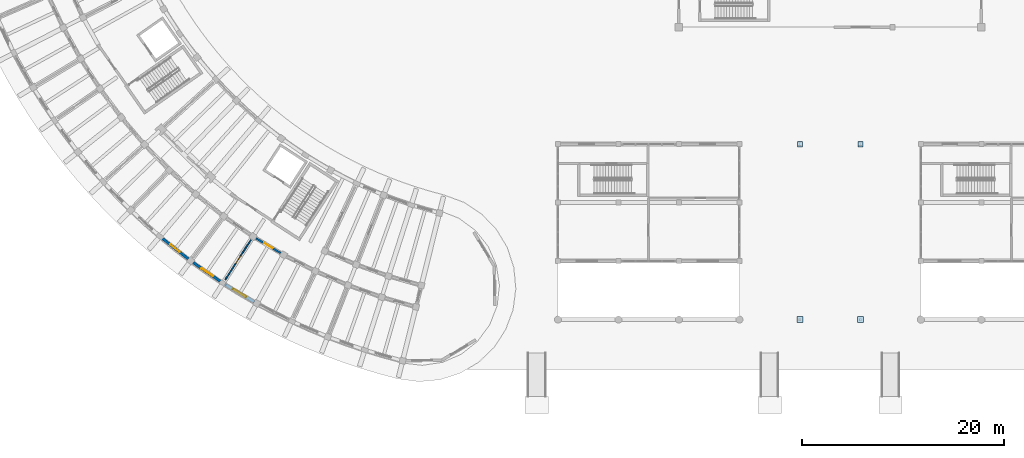
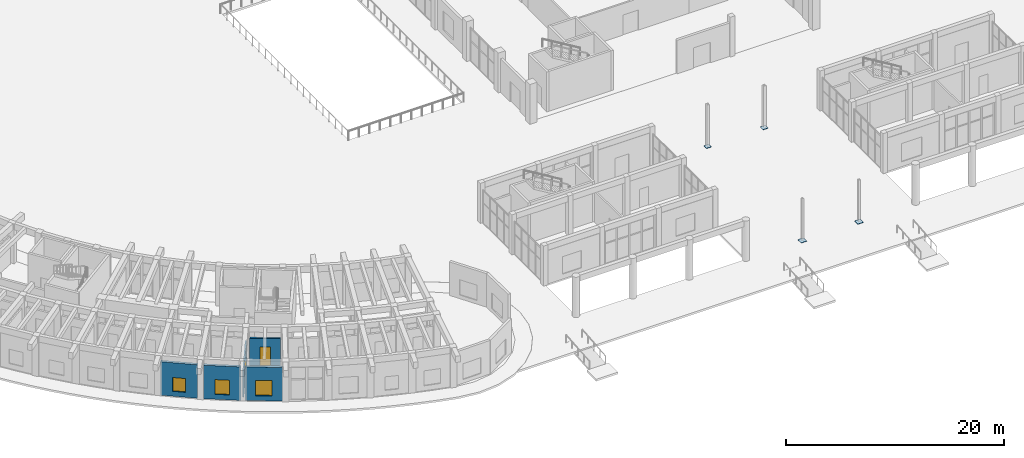
# One storey, part 85 of 132: 5 walls, 4 plates, 3 windows, 2 doors, 5 openings.
"""IFC4 building model written with IfcOpenShell, lengths in metres."""

import ifcopenshell
import ifcopenshell.guid

model = None  # the IFC model being written
_history = None  # IfcOwnerHistory: only IFC2X3 demands one
_inside = {}  # id of a spatial element -> (the spatial element, [elements in it])
_under = {}  # id of a project, library or spatial element -> (it, [spatial elements below it])
_declared = {}  # id of a project -> (the project, [libraries it declares])
_typed = {}  # id of a type object -> (the type object, [elements of that type])
_made_of = {}  # id of a material, layer set ... -> (it, [elements and type objects made of it])


def new_model(schema):
    """Start an empty IFC model of exactly this schema.

    Asked for "IFC4X3", IfcOpenShell would pick the latest addendum, in which some entities
    have other attributes; the version numbers below select the first issue.
    IFC2X3 requires an IfcOwnerHistory on every rooted entity: one is made here for all.
    """
    global model, _history
    if schema == "IFC4X3":
        model = ifcopenshell.file(schema_version=(4, 3, 0, 0))
    else:
        model = ifcopenshell.file(schema=schema)
    _inside.clear()
    _under.clear()
    _declared.clear()
    _typed.clear()
    _made_of.clear()
    _history = None
    if model.schema == "IFC2X3":
        org = make("IfcOrganization", Name="unknown")
        user = make(
            "IfcPersonAndOrganization",
            ThePerson=make("IfcPerson", FamilyName="unknown"),
            TheOrganization=org,
        )
        app = make(
            "IfcApplication",
            ApplicationDeveloper=org,
            Version="unknown",
            ApplicationFullName="unknown",
            ApplicationIdentifier="unknown",
        )
        _history = make(
            "IfcOwnerHistory",
            OwningUser=user,
            OwningApplication=app,
            ChangeAction="ADDED",
            CreationDate=0,
        )
    return model


def make(cls, **values):
    """One entity of the class cls with the attributes given. An attribute that is None is left unset."""
    return model.create_entity(
        cls, **{name: value for name, value in values.items() if value is not None}
    )


def rooted(cls, **values):
    """An entity with a GlobalId (a new one), such as an element, a storey or a relation."""
    return make(cls, GlobalId=ifcopenshell.guid.new(), OwnerHistory=_history, **values)


def si_unit(unit_type, name, prefix=None):
    """IfcSIUnit, for example si_unit("LENGTHUNIT", "METRE", prefix="MILLI")."""
    return make("IfcSIUnit", UnitType=unit_type, Prefix=prefix, Name=name)


def assignment(units):
    """IfcUnitAssignment: the units of a project."""
    return None if units is None else make("IfcUnitAssignment", Units=units)


def point(xyz):
    """IfcCartesianPoint."""
    return None if xyz is None else make("IfcCartesianPoint", Coordinates=xyz)


def direction(xyz):
    """IfcDirection."""
    return None if xyz is None else make("IfcDirection", DirectionRatios=xyz)


def frame(location, z_axis=None, x_axis=None):
    """IfcAxis2Placement3D, a coordinate frame: its origin and axes. An axis left out is left unset."""
    return make(
        "IfcAxis2Placement3D",
        Location=point(location),
        Axis=direction(z_axis),
        RefDirection=direction(x_axis),
    )


def frame_2d(location, x_axis=None):
    """IfcAxis2Placement2D, a coordinate frame in the plane: its origin and x axis."""
    return make(
        "IfcAxis2Placement2D", Location=point(location), RefDirection=direction(x_axis)
    )


def origin():
    """The frame at (0, 0, 0) with its axes left unset."""
    return frame((0.0, 0.0, 0.0))


def origin_2d():
    """The frame at (0, 0) in the plane with its x axis left unset."""
    return frame_2d((0.0, 0.0))


def place(relative_to, where):
    """IfcLocalPlacement: puts the frame where relative to a parent placement (None: the world)."""
    return make(
        "IfcLocalPlacement", PlacementRelTo=relative_to, RelativePlacement=where
    )


def context(
    kind, dimensions, precision=None, world=None, true_north=None, identifier=None
):
    """IfcGeometricRepresentationContext, for example the 3D "Model" context."""
    return make(
        "IfcGeometricRepresentationContext",
        ContextIdentifier=identifier,
        ContextType=kind,
        CoordinateSpaceDimension=dimensions,
        Precision=precision,
        WorldCoordinateSystem=world,
        TrueNorth=true_north,
    )


def subcontext(parent, identifier, kind, view, scale=None):
    """IfcGeometricRepresentationSubContext, for example "Body" below "Model"."""
    return make(
        "IfcGeometricRepresentationSubContext",
        ContextIdentifier=identifier,
        ContextType=kind,
        ParentContext=parent,
        TargetScale=scale,
        TargetView=view,
    )


def project(units=None, contexts=None):
    """IfcProject with its units and contexts."""
    return rooted(
        "IfcProject",
        Name="project",
        RepresentationContexts=contexts,
        UnitsInContext=assignment(units),
    )


def spatial(cls, under=None, at=None, **own):
    """A site, building, storey or space (cls), placed at a placement, below another one or the project."""
    s = rooted(cls, ObjectPlacement=at, **own)
    if under is not None:
        _under.setdefault(under.id(), (under, []))[1].append(s)
    return s


def profile(cls, at=None, kind="AREA", **sizes):
    """A parametric profile (cls). Its sizes go by their IFC names, for example OverallWidth=200.0."""
    return make(cls, ProfileType=kind, Position=at, **sizes)


def rectangle(**sizes):
    """IfcRectangleProfileDef."""
    return profile("IfcRectangleProfileDef", **sizes)


def extrude(swept, where, along, depth):
    """IfcExtrudedAreaSolid: the profile swept, set in the frame where, extruded along a direction by depth."""
    return make(
        "IfcExtrudedAreaSolid",
        SweptArea=swept,
        Position=where,
        ExtrudedDirection=direction(along),
        Depth=depth,
    )


def shape(context_of_items, identifier, shape_type, items):
    """IfcShapeRepresentation: the items that make up one representation, for example the "Body"."""
    return make(
        "IfcShapeRepresentation",
        ContextOfItems=context_of_items,
        RepresentationIdentifier=identifier,
        RepresentationType=shape_type,
        Items=items,
    )


def material(Name=None, Category=None):
    """IfcMaterial."""
    return make("IfcMaterial", Name=Name, Category=Category)


def layer(
    of_material, thickness, ventilated=None, Name=None, Category=None, Priority=None
):
    """IfcMaterialLayer: one layer of a wall or slab, of a material (None: an air gap)."""
    return make(
        "IfcMaterialLayer",
        Material=of_material,
        LayerThickness=thickness,
        IsVentilated=ventilated,
        Name=Name,
        Category=Category,
        Priority=Priority,
    )


def layer_set(layers, Name=None):
    """IfcMaterialLayerSet."""
    return make("IfcMaterialLayerSet", MaterialLayers=layers, LayerSetName=Name)


def made_of(thing, what):
    """Note that an element or type object is made of a material, layer set ...; save() writes the relation."""
    if what is not None:
        _made_of.setdefault(what.id(), (what, []))[1].append(thing)
    return thing


def type_object(cls, material=None, **own):
    """A type object (cls), such as IfcWallType, which elements share."""
    return made_of(rooted(cls, **own), material)


def element(
    cls,
    number,
    at=None,
    inside=None,
    cuts=None,
    type_object=None,
    material=None,
    context=None,
    identifier="Body",
    shape_type=None,
    held_by="IfcProductDefinitionShape",
    body=None,
    shapes=None,
    **own,
):
    """One element of the class cls, such as IfcWall. Its Tag is "e" and its number.

    at: its placement. inside: the storey or other place that contains it. cuts: it is an
    opening in that element (IfcRelVoidsElement). A single representation is given by context,
    identifier, shape_type and body (its items); several are given by shapes. held_by: the class
    of the entity that holds the representations. save() writes the other relations.
    """
    e = rooted(cls, Tag="e%d" % number, ObjectPlacement=at, **own)
    if body is not None:
        shapes = [shape(context, identifier, shape_type, body)]
    if shapes is not None:
        e.Representation = make(held_by, Representations=shapes)
    if inside is not None:
        _inside.setdefault(inside.id(), (inside, []))[1].append(e)
    if cuts is not None:
        rooted(
            "IfcRelVoidsElement", RelatingBuildingElement=cuts, RelatedOpeningElement=e
        )
    if type_object is not None:
        _typed.setdefault(type_object.id(), (type_object, []))[1].append(e)
    return made_of(e, material)


def fill(opening, filler):
    """IfcRelFillsElement: the door or window that sits in an opening."""
    return rooted(
        "IfcRelFillsElement",
        RelatingOpeningElement=opening,
        RelatedBuildingElement=filler,
    )


def aggregate(whole, parts):
    """IfcRelAggregates: a whole, such as a stair, and the parts it consists of."""
    return rooted("IfcRelAggregates", RelatingObject=whole, RelatedObjects=parts)


def save(model, path):
    """Write the relations noted so far, then the file.

    IfcRelAggregates (storeys below a building ...), IfcRelContainedInSpatialStructure (elements
    in a storey), IfcRelDefinesByType, IfcRelAssociatesMaterial and IfcRelDeclares: one each for
    every whole, place, type object, material and project.
    """
    for whole, parts in _under.values():
        aggregate(whole, parts)
    for where, things in _inside.values():
        rooted(
            "IfcRelContainedInSpatialStructure",
            RelatedElements=things,
            RelatingStructure=where,
        )
    for kind, things in _typed.values():
        rooted("IfcRelDefinesByType", RelatedObjects=things, RelatingType=kind)
    for what, things in _made_of.values():
        rooted("IfcRelAssociatesMaterial", RelatedObjects=things, RelatingMaterial=what)
    for by, libraries in _declared.values():
        rooted("IfcRelDeclares", RelatingContext=by, RelatedDefinitions=libraries)
    model.write(path)


model = new_model("IFC4")

# Units and contexts
model_context = context("Model", 3, precision=1e-05, world=origin(), true_north=direction((0.0, 1.0)))
body_context = subcontext(model_context, "Body", "Model", "MODEL_VIEW")
ifc_project = project(units=[si_unit("LENGTHUNIT", "METRE"), si_unit("AREAUNIT", "SQUARE_METRE"), si_unit("VOLUMEUNIT", "CUBIC_METRE"), si_unit("PLANEANGLEUNIT", "RADIAN"), si_unit("MASSUNIT", "GRAM", prefix="KILO")], contexts=[model_context])

# Site, building, storey
site_placement = place(None, origin())
site = spatial("IfcSite", under=ifc_project, at=site_placement, CompositionType="ELEMENT")
building_placement = place(site_placement, origin())
building = spatial("IfcBuilding", under=site, at=building_placement, Name="Tanwirah Colonnade Gardens", CompositionType="ELEMENT")
storey_placement = place(building_placement, origin())
storey = spatial("IfcBuildingStorey", under=building, at=storey_placement, Name="L00", CompositionType="ELEMENT", Elevation=0.0)

# Plates
ifc_material_1 = material(Name="Steel S355", Category="steel")
ifc_layer_1 = layer(ifc_material_1, 0.030029296875)
ifc_layer_set_1 = layer_set([ifc_layer_1], Name="Steel S355")
plate_type_1 = type_object("IfcPlateType", Name="PLT-BASE30", PredefinedType="USERDEFINED", material=ifc_layer_set_1)
for number, where, z_axis, x_axis, name in (
    (1, (90.0, 28.199951171875, 0.0), (0.0, 0.0, 1.0), (1.0, 0.0, 0.0), "Forecourt Canopy Column Base Plate 1.2"),
    (2, (96.0, 28.199951171875, 0.0), (0.0, 0.0, 1.0), (1.0, 0.0, 0.0), "Forecourt Canopy Column Base Plate 2.2"),
):
    element("IfcPlate", number, at=place(storey_placement, frame(where, z_axis=z_axis, x_axis=x_axis)), inside=storey, type_object=plate_type_1, Name=name, ObjectType="BASE_PLATE", PredefinedType="USERDEFINED", context=body_context, shape_type="SweptSolid", body=[
        extrude(rectangle(XDim=0.52001953125, YDim=0.52001953125, at=origin_2d()), origin(), (0.0, 0.0, 1.0), 0.030029296875),
    ])
ifc_layer_2 = layer(ifc_material_1, 0.034912109375)
ifc_layer_set_2 = layer_set([ifc_layer_2], Name="Steel S355")
plate_type_2 = type_object("IfcPlateType", Name="PLT-BASE35", PredefinedType="USERDEFINED", material=ifc_layer_set_2)
for number, where, z_axis, x_axis, name in (
    (3, (90.0, 10.800048828125, 0.0), (0.0, 0.0, 1.0), (1.0, 0.0, 0.0), "Forecourt Canopy Column Base Plate 1.0"),
    (4, (96.0, 10.800048828125, 0.0), (0.0, 0.0, 1.0), (1.0, 0.0, 0.0), "Forecourt Canopy Column Base Plate 2.0"),
):
    element("IfcPlate", number, at=place(storey_placement, frame(where, z_axis=z_axis, x_axis=x_axis)), inside=storey, type_object=plate_type_2, Name=name, ObjectType="BASE_PLATE", PredefinedType="USERDEFINED", context=body_context, shape_type="SweptSolid", body=[
        extrude(rectangle(XDim=0.60009765625, YDim=0.60009765625, at=origin_2d()), origin(), (0.0, 0.0, 1.0), 0.034912109375),
    ])

# Wall, opening, window
ifc_material_2 = material(Name="Limestone architectural precast concrete C40/50", Category="masonry")
ifc_layer_3 = layer(ifc_material_2, 0.260009765625)
ifc_layer_set_3 = layer_set([ifc_layer_3], Name="Limestone architectural precast concrete C40/50")
wall_type_1 = type_object("IfcWallType", Name="EW-PC260", PredefinedType="SOLIDWALL", material=ifc_layer_set_3)
wall_1_placement = place(storey_placement, frame((26.66845703125, 18.9345703125, 0.0), z_axis=(0.0, 0.0, 1.0), x_axis=(0.783970914649, -0.620797555556, 0.0)))
wall_1 = element("IfcWall", 5, at=wall_1_placement, inside=storey, type_object=wall_type_1, Name="Block C L00 OUT Precast Facade Wall 9", PredefinedType="SOLIDWALL", context=body_context, shape_type="SweptSolid", body=[
    extrude(rectangle(XDim=3.436767578125, YDim=0.260009765625, at=frame_2d((1.71826171875, 0.0))), origin(), (0.0, 0.0, 1.0), 3.7548828125),
])
opening_1_placement = place(wall_1_placement, frame((1.118408203125, 0.0, 0.550048828125)))
opening_1 = element("IfcOpeningElement", 6, at=opening_1_placement, cuts=wall_1, Name="Opening WIN-T02", PredefinedType="OPENING", context=body_context, shape_type="SweptSolid", body=[
    extrude(rectangle(XDim=1.199951171875, YDim=1.550048828125, at=frame_2d((0.60009765625, 0.77490234375))), frame((0.0, 0.139892578125, 0.0), z_axis=(0.0, -1.0, 0.0), x_axis=(1.0, 0.0, 0.0)), (0.0, 0.0, 1.0), 0.280029296875),
])
ifc_material_3 = material(Name="Thermally broken bronze aluminium and solar low-E double glazing", Category="aluminium")
window_type_1 = type_object("IfcWindowType", Name="WIN-T02", PartitioningType="SINGLE_PANEL", PredefinedType="WINDOW", material=ifc_material_3)
window_1_placement = place(opening_1_placement, origin())
window_1 = element("IfcWindow", 7, at=window_1_placement, inside=storey, type_object=window_type_1, Name="Facade window C-L00-OUT-09", OverallHeight=1.550048828125, OverallWidth=1.199951171875, PartitioningType="SINGLE_PANEL", PredefinedType="WINDOW", context=body_context, shape_type="SweptSolid", body=[
    extrude(rectangle(XDim=1.199951171875, YDim=1.550048828125, at=frame_2d((0.60009765625, 0.77490234375))), frame((0.0, 0.030029296875, 0.0), z_axis=(0.0, -1.0, 0.0), x_axis=(1.0, 0.0, 0.0)), (0.0, 0.0, 1.0), 0.06005859375),
])
fill(opening_1, window_1)

wall_2_placement = place(storey_placement, frame((29.8046875, 16.47412109375, 0.0), z_axis=(0.0, 0.0, 1.0), x_axis=(0.822879502564, -0.568215913416, 0.0)))
wall_2 = element("IfcWall", 8, at=wall_2_placement, inside=storey, type_object=wall_type_1, Name="Block C L00 OUT Precast Facade Wall 10", PredefinedType="SOLIDWALL", context=body_context, shape_type="SweptSolid", body=[
    extrude(rectangle(XDim=3.436767578125, YDim=0.260009765625, at=frame_2d((1.71826171875, 0.0))), origin(), (0.0, 0.0, 1.0), 3.7548828125),
])
opening_2_placement = place(wall_2_placement, frame((1.04345703125, 0.0, 0.550048828125)))
opening_2 = element("IfcOpeningElement", 9, at=opening_2_placement, cuts=wall_2, Name="Opening WIN-T05", PredefinedType="OPENING", context=body_context, shape_type="SweptSolid", body=[
    extrude(rectangle(XDim=1.35009765625, YDim=1.64990234375, at=frame_2d((0.675048828125, 0.824951171875))), frame((0.0, 0.139892578125, 0.0), z_axis=(0.0, -1.0, 0.0), x_axis=(1.0, 0.0, 0.0)), (0.0, 0.0, 1.0), 0.280029296875),
])
window_type_2 = type_object("IfcWindowType", Name="WIN-T05", PartitioningType="DOUBLE_PANEL_VERTICAL", PredefinedType="WINDOW", material=ifc_material_3)
window_2_placement = place(opening_2_placement, origin())
window_2 = element("IfcWindow", 10, at=window_2_placement, inside=storey, type_object=window_type_2, Name="Facade window C-L00-OUT-10", OverallHeight=1.64990234375, OverallWidth=1.35009765625, PartitioningType="SINGLE_PANEL", PredefinedType="WINDOW", context=body_context, shape_type="SweptSolid", body=[
    extrude(rectangle(XDim=1.35009765625, YDim=1.64990234375, at=frame_2d((0.675048828125, 0.824951171875))), frame((0.0, 0.030029296875, 0.0), z_axis=(0.0, -1.0, 0.0), x_axis=(1.0, 0.0, 0.0)), (0.0, 0.0, 1.0), 0.06005859375),
])
fill(opening_2, window_2)

wall_3_placement = place(storey_placement, frame((32.94384765625, 14.3212890625, 0.0), z_axis=(0.0, 0.0, 1.0), x_axis=(0.858281691366, -0.51317885602, 0.0)))
wall_3 = element("IfcWall", 11, at=wall_3_placement, inside=storey, type_object=wall_type_1, Name="Block C L00 OUT Precast Facade Wall 11", PredefinedType="SOLIDWALL", context=body_context, shape_type="SweptSolid", body=[
    extrude(rectangle(XDim=3.436767578125, YDim=0.260009765625, at=frame_2d((1.71826171875, 0.0))), origin(), (0.0, 0.0, 1.0), 3.7548828125),
])
opening_3_placement = place(wall_3_placement, frame((0.968505859375, 0.0, 0.550048828125)))
opening_3 = element("IfcOpeningElement", 12, at=opening_3_placement, cuts=wall_3, Name="Opening WIN-T08", PredefinedType="OPENING", context=body_context, shape_type="SweptSolid", body=[
    extrude(rectangle(XDim=1.5, YDim=1.699951171875, at=frame_2d((0.75, 0.85009765625))), frame((0.0, 0.139892578125, 0.0), z_axis=(0.0, -1.0, 0.0), x_axis=(1.0, 0.0, 0.0)), (0.0, 0.0, 1.0), 0.280029296875),
])
window_type_3 = type_object("IfcWindowType", Name="WIN-T08", PartitioningType="DOUBLE_PANEL_VERTICAL", PredefinedType="WINDOW", material=ifc_material_3)
window_3_placement = place(opening_3_placement, origin())
window_3 = element("IfcWindow", 13, at=window_3_placement, inside=storey, type_object=window_type_3, Name="Facade window C-L00-OUT-11", OverallHeight=1.699951171875, OverallWidth=1.5, PartitioningType="SINGLE_PANEL", PredefinedType="WINDOW", context=body_context, shape_type="SweptSolid", body=[
    extrude(rectangle(XDim=1.5, YDim=1.699951171875, at=frame_2d((0.75, 0.85009765625))), frame((0.0, 0.030029296875, 0.0), z_axis=(0.0, -1.0, 0.0), x_axis=(1.0, 0.0, 0.0)), (0.0, 0.0, 1.0), 0.06005859375),
])
fill(opening_3, window_3)

# Wall, opening, door
ifc_material_4 = material(Name="Precast concrete C40/50", Category="concrete")
ifc_layer_4 = layer(ifc_material_4, 0.195068359375)
ifc_layer_set_4 = layer_set([ifc_layer_4], Name="Precast concrete C40/50")
wall_type_2 = type_object("IfcWallType", Name="IW-CORR195", PredefinedType="PARTITIONING", material=ifc_layer_set_4)
wall_4_placement = place(storey_placement, frame((36.060791015625, 18.8623046875, 0.0), z_axis=(0.0, 0.0, 1.0), x_axis=(0.858281647443, -0.51317892948, 0.0)))
wall_4 = element("IfcWall", 14, at=wall_4_placement, inside=storey, type_object=wall_type_2, Name="Block C L00 OUT Corridor Wall 11", PredefinedType="PARTITIONING", context=body_context, shape_type="SweptSolid", body=[
    extrude(rectangle(XDim=2.8369140625, YDim=0.195068359375, at=frame_2d((1.41845703125, 0.0))), origin(), (0.0, 0.0, 1.0), 3.10009765625),
])
opening_4_placement = place(wall_4_placement, frame((0.93359375, 0.0, 0.0)))
opening_4 = element("IfcOpeningElement", 15, at=opening_4_placement, cuts=wall_4, Name="Opening L00-AD1302", PredefinedType="OPENING", context=body_context, shape_type="SweptSolid", body=[
    extrude(rectangle(XDim=0.969970703125, YDim=2.14990234375, at=frame_2d((0.48486328125, 1.074951171875))), frame((0.0, 0.107421875, 0.0), z_axis=(0.0, -1.0, 0.0), x_axis=(1.0, 0.0, 0.0)), (0.0, 0.0, 1.0), 0.215087890625),
])
ifc_material_5 = material(Name="Solid oak fire-resisting apartment entrance door")
door_type_1 = type_object("IfcDoorType", Name="ID-FLT097", OperationType="NOTDEFINED", PredefinedType="DOOR", material=ifc_material_5)
door_1_placement = place(opening_4_placement, origin())
door_1 = element("IfcDoor", 16, at=door_1_placement, inside=storey, type_object=door_type_1, Name="Apartment corridor door L00-AD1302", OperationType="SINGLE_SWING_RIGHT", OverallHeight=2.14990234375, OverallWidth=0.969970703125, PredefinedType="DOOR", context=body_context, shape_type="SweptSolid", body=[
    extrude(rectangle(XDim=0.969970703125, YDim=2.14990234375, at=frame_2d((0.48486328125, 1.074951171875))), frame((0.0, 0.02490234375, 0.0), z_axis=(0.0, -1.0, 0.0), x_axis=(1.0, 0.0, 0.0)), (0.0, 0.0, 1.0), 0.050048828125),
])
fill(opening_4, door_1)

ifc_material_6 = material(Name="Moisture-resistant gypsum stud partition")
ifc_layer_5 = layer(ifc_material_6, 0.125)
ifc_layer_set_5 = layer_set([ifc_layer_5], Name="Moisture-resistant gypsum stud partition")
wall_type_3 = type_object("IfcWallType", Name="IW-INT125", PredefinedType="PARTITIONING", material=ifc_layer_set_5)
wall_5_placement = place(storey_placement, frame((35.5439453125, 18.705322265625, 0.0), z_axis=(0.0, 0.0, 1.0), x_axis=(-0.540959731567, -0.84104849374, 0.0)))
wall_5 = element("IfcWall", 17, at=wall_5_placement, inside=storey, type_object=wall_type_3, Name="Block C L00 Radial Partition 10", PredefinedType="PARTITIONING", context=body_context, shape_type="SweptSolid", body=[
    extrude(rectangle(XDim=4.699951171875, YDim=0.125, at=frame_2d((2.35009765625, 0.0))), origin(), (0.0, 0.0, 1.0), 3.10009765625),
])
opening_5_placement = place(wall_5_placement, frame((1.905029296875, 0.0, 0.0)))
opening_5 = element("IfcOpeningElement", 18, at=opening_5_placement, cuts=wall_5, Name="Opening L00-RD1301", PredefinedType="OPENING", context=body_context, shape_type="SweptSolid", body=[
    extrude(rectangle(XDim=0.889892578125, YDim=2.10009765625, at=frame_2d((0.44482421875, 1.050048828125))), frame((0.0, 0.072509765625, 0.0), z_axis=(0.0, -1.0, 0.0), x_axis=(1.0, 0.0, 0.0)), (0.0, 0.0, 1.0), 0.14501953125),
])
ifc_material_7 = material(Name="Painted hardwood bedroom door", Category="wood")
door_type_2 = type_object("IfcDoorType", Name="ID-RM089", OperationType="NOTDEFINED", PredefinedType="DOOR", material=ifc_material_7)
door_2_placement = place(opening_5_placement, origin())
door_2 = element("IfcDoor", 19, at=door_2_placement, inside=storey, type_object=door_type_2, Name="Internal apartment door L00-RD1301", OperationType="SINGLE_SWING_LEFT", OverallHeight=2.10009765625, OverallWidth=0.889892578125, PredefinedType="DOOR", context=body_context, shape_type="SweptSolid", body=[
    extrude(rectangle(XDim=0.889892578125, YDim=2.10009765625, at=frame_2d((0.44482421875, 1.050048828125))), frame((0.0, 0.02490234375, 0.0), z_axis=(0.0, -1.0, 0.0), x_axis=(1.0, 0.0, 0.0)), (0.0, 0.0, 1.0), 0.050048828125),
])
fill(opening_5, door_2)

save(model, "model.ifc")
